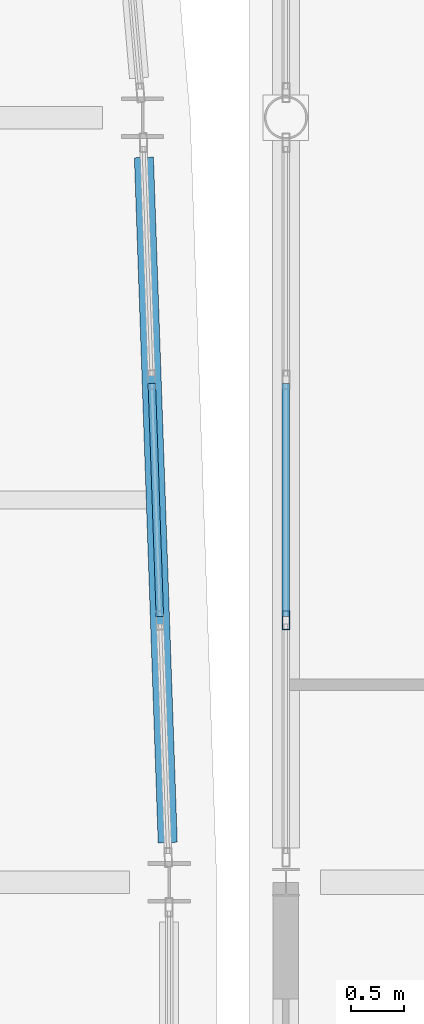
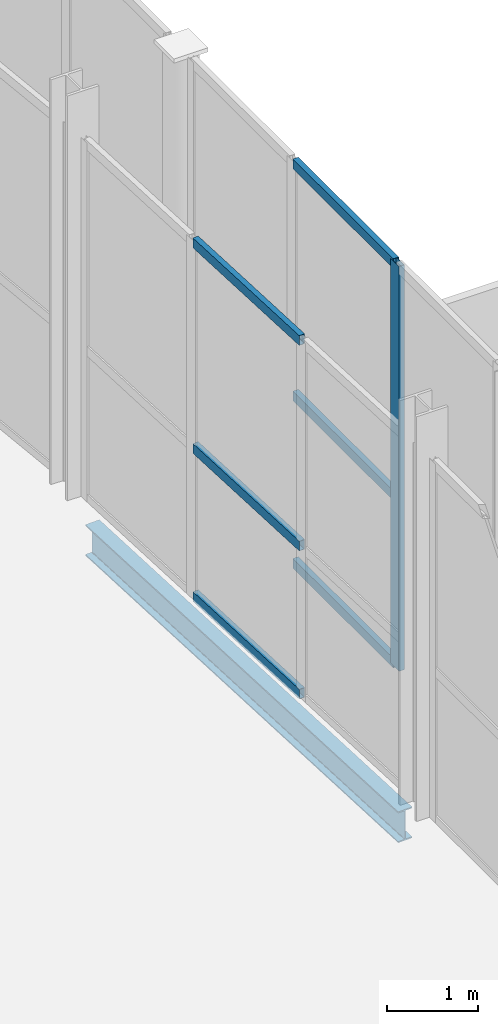
# One storey, part 30 of 83: 7 members, 1 beam, 2 elements without a shape of their own.
"""IFC4 building model written with IfcOpenShell, lengths in metres."""

from ifc_helpers import new_model, si_unit, direction, frame, origin, origin_2d, place, context, subcontext, project, spatial, hollow_rectangle, i_section, extrude, material, layer, layer_set, material_profile, profile_set, type_object, element, aggregate, save


model = new_model("IFC4")

# Units and contexts
model_context = context("Model", 3, precision=1e-05, world=origin(), true_north=direction((0.0, 1.0)))
body_context = subcontext(model_context, "Body", "Model", "MODEL_VIEW")
ifc_project = project(units=[si_unit("LENGTHUNIT", "METRE"), si_unit("AREAUNIT", "SQUARE_METRE"), si_unit("VOLUMEUNIT", "CUBIC_METRE"), si_unit("PLANEANGLEUNIT", "RADIAN"), si_unit("MASSUNIT", "GRAM", prefix="KILO")], contexts=[model_context])

# Site, building, storey
site_placement = place(None, origin())
site = spatial("IfcSite", under=ifc_project, at=site_placement, CompositionType="ELEMENT")
building_placement = place(site_placement, origin())
building = spatial("IfcBuilding", under=site, at=building_placement, Name="Quillay Park Conservatory", CompositionType="ELEMENT")
storey_placement = place(building_placement, origin())
storey = spatial("IfcBuildingStorey", under=building, at=storey_placement, Name="L00", CompositionType="ELEMENT", Elevation=0.0)

# Curtain wall, member
ifc_material_1 = material(Name="Thermally Broken Anodised Aluminium 6063-T6", Category="aluminium")
ifc_layer_1 = layer(ifc_material_1, 0.219970703125)
ifc_layer_set_1 = layer_set([ifc_layer_1], Name="UNITISED CURTAIN WALL CONSERVATORY (Thermally Broken Anodised Aluminium 6063-T6)")
curtain_wall_type_1 = type_object("IfcCurtainWallType", Name="UNITISED CURTAIN WALL CONSERVATORY", PredefinedType="USERDEFINED", material=ifc_layer_set_1)
curtain_wall_1_placement = place(storey_placement, origin())
curtain_wall_1 = element("IfcCurtainWall", 1, at=curtain_wall_1_placement, inside=storey, type_object=curtain_wall_type_1, Name="L00 Unitised Curtain Wall 163", ObjectType="UNITISED CURTAIN WALL", PredefinedType="USERDEFINED")
ifc_material_2 = material(Name="Thermally Broken Anodised Aluminium 6063-T6", Category="aluminium")
ifc_material_profile_1 = material_profile(ifc_material_2, hollow_rectangle(XDim=0.070068359375, YDim=0.179931640625, WallThickness=0.00390625, at=origin_2d()), Name="AL70x180x4")
ifc_profile_set_1 = profile_set([ifc_material_profile_1], Name="Thermally Broken Anodised Aluminium 6063-T6")
member_type_1 = type_object("IfcMemberType", Name="CURTAIN WALL MULLION 70 X180", PredefinedType="MULLION", material=ifc_profile_set_1)
member_1_placement = place(storey_placement, frame((30.64990234375, 94.867431640625, 0.0), z_axis=(0.0, 0.0, 1.0), x_axis=(-1.0, 0.0, 0.0)))
member_1 = element("IfcMember", 2, at=member_1_placement, type_object=member_type_1, Name="CW-C1 mullion 2", PredefinedType="MULLION", context=body_context, shape_type="SweptSolid", body=[
    extrude(hollow_rectangle(XDim=0.070068359375, YDim=0.179931640625, WallThickness=0.00390625, at=origin_2d()), origin(), (0.0, 0.0, 1.0), 5.39990234375),
])

# Curtain wall, members
ifc_material_3 = material(Name="Thermally Broken Anodised Aluminium 6063-T6", Category="aluminium")
ifc_layer_2 = layer(ifc_material_3, 0.179931640625)
ifc_layer_set_2 = layer_set([ifc_layer_2], Name="UNITISED CURTAIN WALL TOWER (Thermally Broken Anodised Aluminium 6063-T6)")
curtain_wall_type_2 = type_object("IfcCurtainWallType", Name="UNITISED CURTAIN WALL TOWER", PredefinedType="USERDEFINED", material=ifc_layer_set_2)
curtain_wall_2_placement = place(storey_placement, origin())
curtain_wall_2 = element("IfcCurtainWall", 3, at=curtain_wall_2_placement, inside=storey, type_object=curtain_wall_type_2, Name="L00 Unitised Curtain Wall 005", ObjectType="UNITISED CURTAIN WALL", PredefinedType="USERDEFINED")
ifc_material_4 = material(Name="Thermally Broken Anodised Aluminium 6063-T6", Category="aluminium")
ifc_material_profile_2 = material_profile(ifc_material_4, hollow_rectangle(XDim=0.070068359375, YDim=0.1298828125, WallThickness=0.003173828125, at=origin_2d()), Name="AL70x130x3.2")
ifc_profile_set_2 = profile_set([ifc_material_profile_2], Name="Thermally Broken Anodised Aluminium 6063-T6")
member_type_2 = type_object("IfcMemberType", Name="CURTAIN WALL TRANSOM 70 X130", PredefinedType="USERDEFINED", material=ifc_profile_set_2)
member_2_placement = place(storey_placement, frame((29.386962890625, 97.098388671875, 0.034912109375), z_axis=(0.034653546152, -0.999399385501, 0.0), x_axis=(0.999399385501, 0.034653546152, 0.0)))
member_2 = element("IfcMember", 4, at=member_2_placement, type_object=member_type_2, Name="CW-T1 transom 2.1", ObjectType="TRANSOM", PredefinedType="USERDEFINED", context=body_context, shape_type="SweptSolid", body=[
    extrude(hollow_rectangle(XDim=0.070068359375, YDim=0.1298828125, WallThickness=0.003173828125, at=origin_2d()), origin(), (0.0, 0.0, 1.0), 2.197998046875),
])
member_3_placement = place(storey_placement, frame((29.386962890625, 97.098388671875, 2.011474609375), z_axis=(0.034653546152, -0.999399385501, 0.0), x_axis=(0.999399385501, 0.034653546152, 0.0)))
member_3 = element("IfcMember", 5, at=member_3_placement, type_object=member_type_2, Name="CW-T1 transom 2.2", ObjectType="TRANSOM", PredefinedType="USERDEFINED", context=body_context, shape_type="SweptSolid", body=[
    extrude(hollow_rectangle(XDim=0.070068359375, YDim=0.1298828125, WallThickness=0.003173828125, at=origin_2d()), origin(), (0.0, 0.0, 1.0), 2.197998046875),
])
member_4_placement = place(storey_placement, frame((29.386962890625, 97.098388671875, 4.75390625), z_axis=(0.034653546152, -0.999399385501, 0.0), x_axis=(0.999399385501, 0.034653546152, 0.0)))
member_4 = element("IfcMember", 6, at=member_4_placement, type_object=member_type_2, Name="CW-T1 transom 2.3", ObjectType="TRANSOM", PredefinedType="USERDEFINED", context=body_context, shape_type="SweptSolid", body=[
    extrude(hollow_rectangle(XDim=0.070068359375, YDim=0.1298828125, WallThickness=0.003173828125, at=origin_2d()), origin(), (0.0, 0.0, 1.0), 2.197998046875),
])
aggregate(curtain_wall_2, [member_2, member_3, member_4])

# Member
member_5_placement = place(storey_placement, frame((30.64990234375, 94.90234375, 0.034912109375), z_axis=(0.0, 1.0, 0.0), x_axis=(-1.0, 0.0, 0.0)))
member_5 = element("IfcMember", 7, at=member_5_placement, type_object=member_type_2, Name="CW-C1 transom 2.1", ObjectType="TRANSOM", PredefinedType="USERDEFINED", context=body_context, shape_type="SweptSolid", body=[
    extrude(hollow_rectangle(XDim=0.070068359375, YDim=0.1298828125, WallThickness=0.003173828125, at=origin_2d()), origin(), (0.0, 0.0, 1.0), 2.1953125),
])

member_6_placement = place(storey_placement, frame((30.64990234375, 94.90234375, 2.26806640625), z_axis=(0.0, 1.0, 0.0), x_axis=(-1.0, 0.0, 0.0)))
member_6 = element("IfcMember", 8, at=member_6_placement, type_object=member_type_2, Name="CW-C1 transom 2.2", ObjectType="TRANSOM", PredefinedType="USERDEFINED", context=body_context, shape_type="SweptSolid", body=[
    extrude(hollow_rectangle(XDim=0.070068359375, YDim=0.1298828125, WallThickness=0.003173828125, at=origin_2d()), origin(), (0.0, 0.0, 1.0), 2.1953125),
])

member_7_placement = place(storey_placement, frame((30.64990234375, 94.90234375, 5.364990234375), z_axis=(0.0, 1.0, 0.0), x_axis=(-1.0, 0.0, 0.0)))
member_7 = element("IfcMember", 9, at=member_7_placement, type_object=member_type_2, Name="CW-C1 transom 2.3", ObjectType="TRANSOM", PredefinedType="USERDEFINED", context=body_context, shape_type="SweptSolid", body=[
    extrude(hollow_rectangle(XDim=0.070068359375, YDim=0.1298828125, WallThickness=0.003173828125, at=origin_2d()), origin(), (0.0, 0.0, 1.0), 2.1953125),
])

aggregate(curtain_wall_1, [member_1, member_5, member_6, member_7])

# Beam
ifc_material_5 = material(Name="Steel ASTM A992 Grade 50", Category="steel")
ifc_material_profile_3 = material_profile(ifc_material_5, i_section(OverallWidth=0.179931640625, OverallDepth=0.4130859375, WebThickness=0.009765625, FlangeThickness=0.01611328125, FilletRadius=0.011962890625, at=origin_2d()), Name="W410x74")
ifc_profile_set_3 = profile_set([ifc_material_profile_3], Name="Steel ASTM A992 Grade 50")
beam_type = type_object("IfcBeamType", Name="PERIMETER SPANDREL BEAM W410 X74", PredefinedType="SPANDREL", material=ifc_profile_set_3)
beam_placement = place(storey_placement, frame((29.537109375, 92.77490234375, -0.45654296875), z_axis=(-0.034725448327, 0.999396889748, 0.0), x_axis=(-0.999396889748, -0.034725448327, 0.0)))
element("IfcBeam", 10, at=beam_placement, inside=storey, type_object=beam_type, Name="L00 beam BM-SPE-0090", PredefinedType="SPANDREL", context=body_context, shape_type="SweptSolid", body=[
    extrude(i_section(OverallWidth=0.179931640625, OverallDepth=0.4130859375, WebThickness=0.009765625, FlangeThickness=0.01611328125, FilletRadius=0.011962890625, at=origin_2d()), origin(), (0.0, 0.0, 1.0), 6.4541015625),
])

save(model, "model.ifc")
